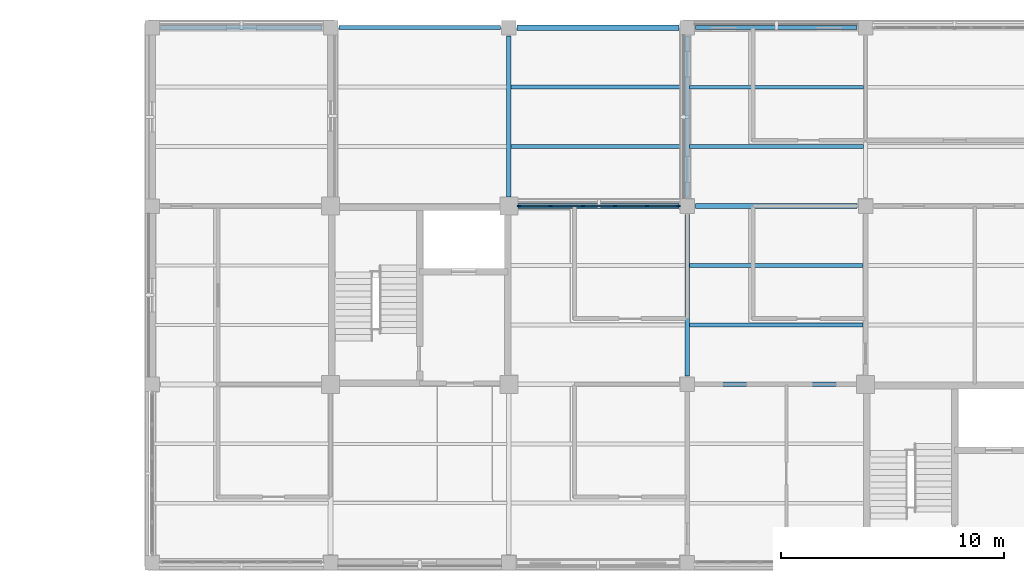
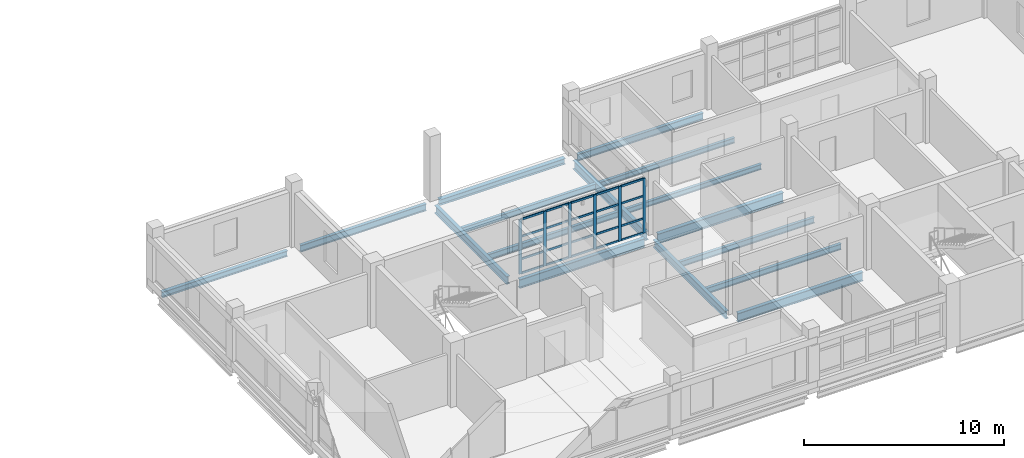
# One storey, part 62 of 126: 26 members, 16 beams, 1 element without a shape of its own.
"""IFC4 building model written with IfcOpenShell, lengths in metres."""

from ifc_helpers import new_model, si_unit, derived_unit, direction, frame, origin, origin_2d, place, context, subcontext, project, spatial, rectangle, i_section, extrude, material, layer, layer_set, material_profile, profile_set, type_object, element, aggregate, save


model = new_model("IFC4")

# Units and contexts
model_context = context("Model", 3, precision=1e-05, world=origin(), true_north=direction((0.0, 1.0)))
body_context = subcontext(model_context, "Body", "Model", "MODEL_VIEW")
ifc_project = project(units=[si_unit("LENGTHUNIT", "METRE"), si_unit("AREAUNIT", "SQUARE_METRE"), si_unit("VOLUMEUNIT", "CUBIC_METRE"), si_unit("PLANEANGLEUNIT", "RADIAN"), si_unit("MASSUNIT", "GRAM", prefix="KILO"), derived_unit("THERMALTRANSMITTANCEUNIT", [(si_unit("MASSUNIT", "GRAM", prefix="KILO"), 1), (si_unit("TIMEUNIT", "SECOND"), -3), (si_unit("THERMODYNAMICTEMPERATUREUNIT", "KELVIN"), -1)])], contexts=[model_context])

# Site, building, storey
site_placement = place(None, origin())
site = spatial("IfcSite", under=ifc_project, at=site_placement, CompositionType="ELEMENT")
building_placement = place(site_placement, origin())
building = spatial("IfcBuilding", under=site, at=building_placement, Name="Veyamyaing Civic Hall", CompositionType="ELEMENT")
storey_placement = place(building_placement, frame((0.0, 0.0, 9.89990234375)))
storey = spatial("IfcBuildingStorey", under=building, at=storey_placement, Name="L02", CompositionType="ELEMENT", Elevation=9.89990234375)

# Beams
ifc_material_1 = material(Name="Steel ASTM A992", Category="steel")
ifc_material_profile_1 = material_profile(ifc_material_1, i_section(OverallWidth=0.22802734375, OverallDepth=0.60791015625, WebThickness=0.01123046875, FlangeThickness=0.017333984375, FilletRadius=0.012939453125, at=origin_2d()), Name="W610X113")
ifc_profile_set_1 = profile_set([ifc_material_profile_1], Name="Steel ASTM A992")
beam_type_1 = type_object("IfcBeamType", Name="B-06", PredefinedType="BEAM", material=ifc_profile_set_1)
beam_1_placement = place(storey_placement, frame((152.375, 104.0, -0.5888671875), z_axis=(1.0, 0.0, 0.0), x_axis=(0.0, 1.0, 0.0)))
element("IfcBeam", 1, at=beam_1_placement, inside=storey, type_object=beam_type_1, Name="Girder B-06 L02 Grid P 20-21", PredefinedType="BEAM", context=body_context, shape_type="SweptSolid", body=[
    extrude(i_section(OverallWidth=0.22802734375, OverallDepth=0.60791015625, WebThickness=0.01123046875, FlangeThickness=0.017333984375, FilletRadius=0.012939453125, at=origin_2d()), origin(), (0.0, 0.0, 1.0), 7.25),
])
ifc_material_profile_2 = material_profile(ifc_material_1, i_section(OverallWidth=0.208984375, OverallDepth=0.532958984375, WebThickness=0.01025390625, FlangeThickness=0.015625, FilletRadius=0.011962890625, at=origin_2d()), Name="W530X92")
ifc_profile_set_2 = profile_set([ifc_material_profile_2], Name="Steel ASTM A992")
beam_type_2 = type_object("IfcBeamType", Name="B-07", PredefinedType="BEAM", material=ifc_profile_set_2)
beam_2_placement = place(storey_placement, frame((152.0, 104.375, -0.551513671875), z_axis=(0.0, 1.0, 0.0), x_axis=(-1.0, 0.0, 0.0)))
element("IfcBeam", 2, at=beam_2_placement, inside=storey, type_object=beam_type_2, Name="Girder B-07 L02 Grid 20 P-Q", PredefinedType="BEAM", context=body_context, shape_type="SweptSolid", body=[
    extrude(i_section(OverallWidth=0.208984375, OverallDepth=0.532958984375, WebThickness=0.01025390625, FlangeThickness=0.015625, FilletRadius=0.011962890625, at=origin_2d()), origin(), (0.0, 0.0, 1.0), 7.25),
])
ifc_material_profile_3 = material_profile(ifc_material_1, i_section(OverallWidth=0.179931640625, OverallDepth=0.4130859375, WebThickness=0.009765625, FlangeThickness=0.01611328125, FilletRadius=0.010009765625, at=origin_2d()), Name="W410X74")
ifc_profile_set_3 = profile_set([ifc_material_profile_3], Name="Steel ASTM A992")
beam_type_3 = type_object("IfcBeamType", Name="B-10", PredefinedType="SPANDREL", material=ifc_profile_set_3)
beam_3_placement = place(storey_placement, frame((152.375, 112.0, -0.491455078125), z_axis=(1.0, 0.0, 0.0), x_axis=(0.0, 1.0, 0.0)))
element("IfcBeam", 3, at=beam_3_placement, inside=storey, type_object=beam_type_3, Name="Girder B-10 L02 Grid Q 20-21", PredefinedType="SPANDREL", context=body_context, shape_type="SweptSolid", body=[
    extrude(i_section(OverallWidth=0.179931640625, OverallDepth=0.4130859375, WebThickness=0.009765625, FlangeThickness=0.01611328125, FilletRadius=0.010009765625, at=origin_2d()), origin(), (0.0, 0.0, 1.0), 7.25),
])
ifc_material_profile_4 = material_profile(ifc_material_1, i_section(OverallWidth=0.2041015625, OverallDepth=0.35009765625, WebThickness=0.0078125, FlangeThickness=0.01513671875, FilletRadius=0.010009765625, at=origin_2d()), Name="W360X72")
ifc_profile_set_4 = profile_set([ifc_material_profile_4], Name="Steel ASTM A992")
beam_type_4 = type_object("IfcBeamType", Name="B-11", PredefinedType="SPANDREL", material=ifc_profile_set_4)
beam_4_placement = place(storey_placement, frame((128.375, 112.0, -0.4599609375), z_axis=(1.0, 0.0, 0.0), x_axis=(0.0, 1.0, 0.0)))
element("IfcBeam", 4, at=beam_4_placement, inside=storey, type_object=beam_type_4, Name="Girder B-11 L02 Grid Q 17-18", PredefinedType="SPANDREL", context=body_context, shape_type="SweptSolid", body=[
    extrude(i_section(OverallWidth=0.2041015625, OverallDepth=0.35009765625, WebThickness=0.0078125, FlangeThickness=0.01513671875, FilletRadius=0.010009765625, at=origin_2d()), origin(), (0.0, 0.0, 1.0), 7.25),
])
ifc_material_profile_5 = material_profile(ifc_material_1, i_section(OverallWidth=0.2109375, OverallDepth=0.5390625, WebThickness=0.01171875, FlangeThickness=0.018798828125, FilletRadius=0.011962890625, at=origin_2d()), Name="W530X109")
ifc_profile_set_5 = profile_set([ifc_material_profile_5], Name="Steel ASTM A992")
beam_type_5 = type_object("IfcBeamType", Name="B-17", PredefinedType="BEAM", material=ifc_profile_set_5)
for number, where, z_axis, x_axis, name in (
    (5, (152.375, 96.0, -0.554443359375), (1.0, 0.0, 0.0), (0.0, 1.0, 0.0), "Girder B-17 L02 Grid N 20-21"),
    (6, (144.39990234375, 104.0, -0.554443359375), (1.0, 0.0, 0.0), (0.0, 1.0, 0.0), "Girder B-17 L02 Grid P 19-20"),
):
    element("IfcBeam", number, at=place(storey_placement, frame(where, z_axis=z_axis, x_axis=x_axis)), inside=storey, type_object=beam_type_5, Name=name, PredefinedType="BEAM", context=body_context, shape_type="SweptSolid", body=[
        extrude(i_section(OverallWidth=0.2109375, OverallDepth=0.5390625, WebThickness=0.01171875, FlangeThickness=0.018798828125, FilletRadius=0.011962890625, at=origin_2d()), origin(), (0.0, 0.0, 1.0), 7.22509765625),
    ])
ifc_material_profile_6 = material_profile(ifc_material_1, i_section(OverallWidth=0.194091796875, OverallDepth=0.468994140625, WebThickness=0.0126953125, FlangeThickness=0.0205078125, FilletRadius=0.010009765625, at=origin_2d()), Name="W460X106")
ifc_profile_set_6 = profile_set([ifc_material_profile_6], Name="Steel ASTM A992")
beam_type_6 = type_object("IfcBeamType", Name="B-18", PredefinedType="BEAM", material=ifc_profile_set_6)
beam_5_placement = place(storey_placement, frame((144.0, 104.39990234375, -0.474365234375), z_axis=(0.0, 1.0, 0.0), x_axis=(-1.0, 0.0, 0.0)))
element("IfcBeam", 7, at=beam_5_placement, inside=storey, type_object=beam_type_6, Name="Girder B-18 L02 Grid 19 P-Q", PredefinedType="BEAM", context=body_context, shape_type="SweptSolid", body=[
    extrude(i_section(OverallWidth=0.194091796875, OverallDepth=0.468994140625, WebThickness=0.0126953125, FlangeThickness=0.0205078125, FilletRadius=0.010009765625, at=origin_2d()), origin(), (0.0, 0.0, 1.0), 7.22509765625),
])
beam_6_placement = place(storey_placement, frame((152.0, 96.375, -0.519287109375), z_axis=(0.0, 1.0, 0.0), x_axis=(-1.0, 0.0, 0.0)))
element("IfcBeam", 8, at=beam_6_placement, inside=storey, type_object=beam_type_6, Name="Girder B-18 L02 Grid 20 N-P", PredefinedType="BEAM", context=body_context, shape_type="SweptSolid", body=[
    extrude(i_section(OverallWidth=0.194091796875, OverallDepth=0.468994140625, WebThickness=0.0126953125, FlangeThickness=0.0205078125, FilletRadius=0.010009765625, at=origin_2d()), origin(), (0.0, 0.0, 1.0), 7.25),
])
ifc_material_profile_7 = material_profile(ifc_material_1, i_section(OverallWidth=0.180908203125, OverallDepth=0.4169921875, WebThickness=0.010986328125, FlangeThickness=0.018310546875, FilletRadius=0.010009765625, at=origin_2d()), Name="W410X85")
ifc_profile_set_7 = profile_set([ifc_material_profile_7], Name="Steel ASTM A992")
beam_type_7 = type_object("IfcBeamType", Name="B-19", PredefinedType="SPANDREL", material=ifc_profile_set_7)
beam_7_placement = place(storey_placement, frame((136.375, 112.0, -0.448486328125), z_axis=(1.0, 0.0, 0.0), x_axis=(0.0, 1.0, 0.0)))
element("IfcBeam", 9, at=beam_7_placement, inside=storey, type_object=beam_type_7, Name="Girder B-19 L02 Grid Q 18-19", PredefinedType="SPANDREL", context=body_context, shape_type="SweptSolid", body=[
    extrude(i_section(OverallWidth=0.180908203125, OverallDepth=0.4169921875, WebThickness=0.010986328125, FlangeThickness=0.018310546875, FilletRadius=0.010009765625, at=origin_2d()), origin(), (0.0, 0.0, 1.0), 7.25),
])
ifc_material_profile_8 = material_profile(ifc_material_1, i_section(OverallWidth=0.25390625, OverallDepth=0.35302734375, WebThickness=0.009521484375, FlangeThickness=0.016357421875, FilletRadius=0.011962890625, at=origin_2d()), Name="W360X91")
ifc_profile_set_8 = profile_set([ifc_material_profile_8], Name="Steel ASTM A992")
beam_type_8 = type_object("IfcBeamType", Name="B-20", PredefinedType="SPANDREL", material=ifc_profile_set_8)
beam_8_placement = place(storey_placement, frame((144.375, 112.0, -0.41650390625), z_axis=(1.0, 0.0, 0.0), x_axis=(0.0, 1.0, 0.0)))
element("IfcBeam", 10, at=beam_8_placement, inside=storey, type_object=beam_type_8, Name="Girder B-20 L02 Grid Q 19-20", PredefinedType="SPANDREL", context=body_context, shape_type="SweptSolid", body=[
    extrude(i_section(OverallWidth=0.25390625, OverallDepth=0.35302734375, WebThickness=0.009521484375, FlangeThickness=0.016357421875, FilletRadius=0.011962890625, at=origin_2d()), origin(), (0.0, 0.0, 1.0), 7.25),
])

# Curtain wall, members
ifc_material_2 = material(Name="Anodised aluminium 6063-T6", Category="aluminium")
ifc_layer = layer(ifc_material_2, 0.159912109375, Name="Anodised aluminium 6063-T6")
ifc_layer_set = layer_set([ifc_layer], Name="Anodised aluminium 6063-T6")
curtain_wall_type = type_object("IfcCurtainWallType", Name="CW-03", PredefinedType="NOTDEFINED", material=ifc_layer_set)
curtain_wall_placement = place(storey_placement, origin())
curtain_wall = element("IfcCurtainWall", 11, at=curtain_wall_placement, inside=storey, type_object=curtain_wall_type, Name="Unitized curtain wall CW-03 L02 N 19.13", PredefinedType="NOTDEFINED")
ifc_material_profile_9 = material_profile(ifc_material_2, rectangle(XDim=0.06494140625, YDim=0.159912109375, at=origin_2d()), Name="ALU-MUL-65X160")
ifc_profile_set_9 = profile_set([ifc_material_profile_9], Name="Anodised aluminium 6063-T6")
member_type_1 = type_object("IfcMemberType", Name="CWM-01", PredefinedType="MULLION", material=ifc_profile_set_9)
member_1_placement = place(storey_placement, frame((144.46240234375, 104.0, 0.0), z_axis=(0.0, 0.0, 1.0), x_axis=(0.0, 1.0, 0.0)))
member_1 = element("IfcMember", 12, at=member_1_placement, type_object=member_type_1, Name="CW-03 mullion 1", PredefinedType="MULLION", context=body_context, shape_type="SweptSolid", body=[
    extrude(rectangle(XDim=0.06494140625, YDim=0.159912109375, at=origin_2d()), origin(), (0.0, 0.0, 1.0), 3.343994140625),
])
member_2_placement = place(storey_placement, frame((145.873046875, 104.0, 0.0), z_axis=(0.0, 0.0, 1.0), x_axis=(0.0, 1.0, 0.0)))
member_2 = element("IfcMember", 13, at=member_2_placement, type_object=member_type_1, Name="CW-03 mullion 2", PredefinedType="MULLION", context=body_context, shape_type="SweptSolid", body=[
    extrude(rectangle(XDim=0.06494140625, YDim=0.159912109375, at=origin_2d()), origin(), (0.0, 0.0, 1.0), 3.343994140625),
])
member_3_placement = place(storey_placement, frame((147.31591796875, 104.0, 0.0), z_axis=(0.0, 0.0, 1.0), x_axis=(0.0, 1.0, 0.0)))
member_3 = element("IfcMember", 14, at=member_3_placement, type_object=member_type_1, Name="CW-03 mullion 3", PredefinedType="MULLION", context=body_context, shape_type="SweptSolid", body=[
    extrude(rectangle(XDim=0.06494140625, YDim=0.159912109375, at=origin_2d()), origin(), (0.0, 0.0, 1.0), 3.343994140625),
])
member_4_placement = place(storey_placement, frame((148.759033203125, 104.0, 0.0), z_axis=(0.0, 0.0, 1.0), x_axis=(0.0, 1.0, 0.0)))
member_4 = element("IfcMember", 15, at=member_4_placement, type_object=member_type_1, Name="CW-03 mullion 4", PredefinedType="MULLION", context=body_context, shape_type="SweptSolid", body=[
    extrude(rectangle(XDim=0.06494140625, YDim=0.159912109375, at=origin_2d()), origin(), (0.0, 0.0, 1.0), 3.343994140625),
])
member_5_placement = place(storey_placement, frame((150.201904296875, 104.0, 0.0), z_axis=(0.0, 0.0, 1.0), x_axis=(0.0, 1.0, 0.0)))
member_5 = element("IfcMember", 16, at=member_5_placement, type_object=member_type_1, Name="CW-03 mullion 5", PredefinedType="MULLION", context=body_context, shape_type="SweptSolid", body=[
    extrude(rectangle(XDim=0.06494140625, YDim=0.159912109375, at=origin_2d()), origin(), (0.0, 0.0, 1.0), 3.343994140625),
])
member_6_placement = place(storey_placement, frame((151.612548828125, 104.0, 0.0), z_axis=(0.0, 0.0, 1.0), x_axis=(0.0, 1.0, 0.0)))
member_6 = element("IfcMember", 17, at=member_6_placement, type_object=member_type_1, Name="CW-03 mullion 6", PredefinedType="MULLION", context=body_context, shape_type="SweptSolid", body=[
    extrude(rectangle(XDim=0.06494140625, YDim=0.159912109375, at=origin_2d()), origin(), (0.0, 0.0, 1.0), 3.343994140625),
])
ifc_material_profile_10 = material_profile(ifc_material_2, rectangle(XDim=0.06494140625, YDim=0.1201171875, at=origin_2d()), Name="ALU-TRN-65X120")
ifc_profile_set_10 = profile_set([ifc_material_profile_10], Name="Anodised aluminium 6063-T6")
member_type_2 = type_object("IfcMemberType", Name="CWT-01", PredefinedType="USERDEFINED", material=ifc_profile_set_10)
member_7_placement = place(storey_placement, frame((144.4951171875, 104.0, 0.03271484375), z_axis=(1.0, 0.0, 0.0), x_axis=(0.0, 1.0, 0.0)))
member_7 = element("IfcMember", 18, at=member_7_placement, type_object=member_type_2, Name="CW-03 transom 1.1", ObjectType="TRANSOM", PredefinedType="USERDEFINED", context=body_context, shape_type="SweptSolid", body=[
    extrude(rectangle(XDim=0.06494140625, YDim=0.1201171875, at=origin_2d()), origin(), (0.0, 0.0, 1.0), 1.345458984375),
])
member_8_placement = place(storey_placement, frame((144.4951171875, 104.0, 0.900146484375), z_axis=(1.0, 0.0, 0.0), x_axis=(0.0, 1.0, 0.0)))
member_8 = element("IfcMember", 19, at=member_8_placement, type_object=member_type_2, Name="CW-03 transom 1.2", ObjectType="TRANSOM", PredefinedType="USERDEFINED", context=body_context, shape_type="SweptSolid", body=[
    extrude(rectangle(XDim=0.06494140625, YDim=0.1201171875, at=origin_2d()), origin(), (0.0, 0.0, 1.0), 1.345458984375),
])
member_9_placement = place(storey_placement, frame((144.4951171875, 104.0, 2.27392578125), z_axis=(1.0, 0.0, 0.0), x_axis=(0.0, 1.0, 0.0)))
member_9 = element("IfcMember", 20, at=member_9_placement, type_object=member_type_2, Name="CW-03 transom 1.3", ObjectType="TRANSOM", PredefinedType="USERDEFINED", context=body_context, shape_type="SweptSolid", body=[
    extrude(rectangle(XDim=0.06494140625, YDim=0.1201171875, at=origin_2d()), origin(), (0.0, 0.0, 1.0), 1.345458984375),
])
member_10_placement = place(storey_placement, frame((144.4951171875, 104.0, 3.3115234375), z_axis=(1.0, 0.0, 0.0), x_axis=(0.0, 1.0, 0.0)))
member_10 = element("IfcMember", 21, at=member_10_placement, type_object=member_type_2, Name="CW-03 transom 1.4", ObjectType="TRANSOM", PredefinedType="USERDEFINED", context=body_context, shape_type="SweptSolid", body=[
    extrude(rectangle(XDim=0.06494140625, YDim=0.1201171875, at=origin_2d()), origin(), (0.0, 0.0, 1.0), 1.345458984375),
])
member_11_placement = place(storey_placement, frame((145.905517578125, 104.0, 0.03271484375), z_axis=(1.0, 0.0, 0.0), x_axis=(0.0, 1.0, 0.0)))
member_11 = element("IfcMember", 22, at=member_11_placement, type_object=member_type_2, Name="CW-03 transom 2.1", ObjectType="TRANSOM", PredefinedType="USERDEFINED", context=body_context, shape_type="SweptSolid", body=[
    extrude(rectangle(XDim=0.06494140625, YDim=0.1201171875, at=origin_2d()), origin(), (0.0, 0.0, 1.0), 1.3779296875),
])
member_12_placement = place(storey_placement, frame((145.905517578125, 104.0, 0.900146484375), z_axis=(1.0, 0.0, 0.0), x_axis=(0.0, 1.0, 0.0)))
member_12 = element("IfcMember", 23, at=member_12_placement, type_object=member_type_2, Name="CW-03 transom 2.2", ObjectType="TRANSOM", PredefinedType="USERDEFINED", context=body_context, shape_type="SweptSolid", body=[
    extrude(rectangle(XDim=0.06494140625, YDim=0.1201171875, at=origin_2d()), origin(), (0.0, 0.0, 1.0), 1.3779296875),
])
member_13_placement = place(storey_placement, frame((145.905517578125, 104.0, 2.27392578125), z_axis=(1.0, 0.0, 0.0), x_axis=(0.0, 1.0, 0.0)))
member_13 = element("IfcMember", 24, at=member_13_placement, type_object=member_type_2, Name="CW-03 transom 2.3", ObjectType="TRANSOM", PredefinedType="USERDEFINED", context=body_context, shape_type="SweptSolid", body=[
    extrude(rectangle(XDim=0.06494140625, YDim=0.1201171875, at=origin_2d()), origin(), (0.0, 0.0, 1.0), 1.3779296875),
])
member_14_placement = place(storey_placement, frame((145.905517578125, 104.0, 3.3115234375), z_axis=(1.0, 0.0, 0.0), x_axis=(0.0, 1.0, 0.0)))
member_14 = element("IfcMember", 25, at=member_14_placement, type_object=member_type_2, Name="CW-03 transom 2.4", ObjectType="TRANSOM", PredefinedType="USERDEFINED", context=body_context, shape_type="SweptSolid", body=[
    extrude(rectangle(XDim=0.06494140625, YDim=0.1201171875, at=origin_2d()), origin(), (0.0, 0.0, 1.0), 1.3779296875),
])
member_15_placement = place(storey_placement, frame((147.348388671875, 104.0, 0.03271484375), z_axis=(1.0, 0.0, 0.0), x_axis=(0.0, 1.0, 0.0)))
member_15 = element("IfcMember", 26, at=member_15_placement, type_object=member_type_2, Name="CW-03 transom 3.1", ObjectType="TRANSOM", PredefinedType="USERDEFINED", context=body_context, shape_type="SweptSolid", body=[
    extrude(rectangle(XDim=0.06494140625, YDim=0.1201171875, at=origin_2d()), origin(), (0.0, 0.0, 1.0), 1.378173828125),
])
member_16_placement = place(storey_placement, frame((147.348388671875, 104.0, 0.900146484375), z_axis=(1.0, 0.0, 0.0), x_axis=(0.0, 1.0, 0.0)))
member_16 = element("IfcMember", 27, at=member_16_placement, type_object=member_type_2, Name="CW-03 transom 3.2", ObjectType="TRANSOM", PredefinedType="USERDEFINED", context=body_context, shape_type="SweptSolid", body=[
    extrude(rectangle(XDim=0.06494140625, YDim=0.1201171875, at=origin_2d()), origin(), (0.0, 0.0, 1.0), 1.378173828125),
])
member_17_placement = place(storey_placement, frame((147.348388671875, 104.0, 2.27392578125), z_axis=(1.0, 0.0, 0.0), x_axis=(0.0, 1.0, 0.0)))
member_17 = element("IfcMember", 28, at=member_17_placement, type_object=member_type_2, Name="CW-03 transom 3.3", ObjectType="TRANSOM", PredefinedType="USERDEFINED", context=body_context, shape_type="SweptSolid", body=[
    extrude(rectangle(XDim=0.06494140625, YDim=0.1201171875, at=origin_2d()), origin(), (0.0, 0.0, 1.0), 1.378173828125),
])
member_18_placement = place(storey_placement, frame((147.348388671875, 104.0, 3.3115234375), z_axis=(1.0, 0.0, 0.0), x_axis=(0.0, 1.0, 0.0)))
member_18 = element("IfcMember", 29, at=member_18_placement, type_object=member_type_2, Name="CW-03 transom 3.4", ObjectType="TRANSOM", PredefinedType="USERDEFINED", context=body_context, shape_type="SweptSolid", body=[
    extrude(rectangle(XDim=0.06494140625, YDim=0.1201171875, at=origin_2d()), origin(), (0.0, 0.0, 1.0), 1.378173828125),
])
member_19_placement = place(storey_placement, frame((148.79150390625, 104.0, 0.03271484375), z_axis=(1.0, 0.0, 0.0), x_axis=(0.0, 1.0, 0.0)))
member_19 = element("IfcMember", 30, at=member_19_placement, type_object=member_type_2, Name="CW-03 transom 4.1", ObjectType="TRANSOM", PredefinedType="USERDEFINED", context=body_context, shape_type="SweptSolid", body=[
    extrude(rectangle(XDim=0.06494140625, YDim=0.1201171875, at=origin_2d()), origin(), (0.0, 0.0, 1.0), 1.3779296875),
])
member_20_placement = place(storey_placement, frame((148.79150390625, 104.0, 0.900146484375), z_axis=(1.0, 0.0, 0.0), x_axis=(0.0, 1.0, 0.0)))
member_20 = element("IfcMember", 31, at=member_20_placement, type_object=member_type_2, Name="CW-03 transom 4.2", ObjectType="TRANSOM", PredefinedType="USERDEFINED", context=body_context, shape_type="SweptSolid", body=[
    extrude(rectangle(XDim=0.06494140625, YDim=0.1201171875, at=origin_2d()), origin(), (0.0, 0.0, 1.0), 1.3779296875),
])
member_21_placement = place(storey_placement, frame((148.79150390625, 104.0, 2.27392578125), z_axis=(1.0, 0.0, 0.0), x_axis=(0.0, 1.0, 0.0)))
member_21 = element("IfcMember", 32, at=member_21_placement, type_object=member_type_2, Name="CW-03 transom 4.3", ObjectType="TRANSOM", PredefinedType="USERDEFINED", context=body_context, shape_type="SweptSolid", body=[
    extrude(rectangle(XDim=0.06494140625, YDim=0.1201171875, at=origin_2d()), origin(), (0.0, 0.0, 1.0), 1.3779296875),
])
member_22_placement = place(storey_placement, frame((148.79150390625, 104.0, 3.3115234375), z_axis=(1.0, 0.0, 0.0), x_axis=(0.0, 1.0, 0.0)))
member_22 = element("IfcMember", 33, at=member_22_placement, type_object=member_type_2, Name="CW-03 transom 4.4", ObjectType="TRANSOM", PredefinedType="USERDEFINED", context=body_context, shape_type="SweptSolid", body=[
    extrude(rectangle(XDim=0.06494140625, YDim=0.1201171875, at=origin_2d()), origin(), (0.0, 0.0, 1.0), 1.3779296875),
])
member_23_placement = place(storey_placement, frame((150.234619140625, 104.0, 0.03271484375), z_axis=(1.0, 0.0, 0.0), x_axis=(0.0, 1.0, 0.0)))
member_23 = element("IfcMember", 34, at=member_23_placement, type_object=member_type_2, Name="CW-03 transom 5.1", ObjectType="TRANSOM", PredefinedType="USERDEFINED", context=body_context, shape_type="SweptSolid", body=[
    extrude(rectangle(XDim=0.06494140625, YDim=0.1201171875, at=origin_2d()), origin(), (0.0, 0.0, 1.0), 1.345458984375),
])
member_24_placement = place(storey_placement, frame((150.234619140625, 104.0, 0.900146484375), z_axis=(1.0, 0.0, 0.0), x_axis=(0.0, 1.0, 0.0)))
member_24 = element("IfcMember", 35, at=member_24_placement, type_object=member_type_2, Name="CW-03 transom 5.2", ObjectType="TRANSOM", PredefinedType="USERDEFINED", context=body_context, shape_type="SweptSolid", body=[
    extrude(rectangle(XDim=0.06494140625, YDim=0.1201171875, at=origin_2d()), origin(), (0.0, 0.0, 1.0), 1.345458984375),
])
member_25_placement = place(storey_placement, frame((150.234619140625, 104.0, 2.27392578125), z_axis=(1.0, 0.0, 0.0), x_axis=(0.0, 1.0, 0.0)))
member_25 = element("IfcMember", 36, at=member_25_placement, type_object=member_type_2, Name="CW-03 transom 5.3", ObjectType="TRANSOM", PredefinedType="USERDEFINED", context=body_context, shape_type="SweptSolid", body=[
    extrude(rectangle(XDim=0.06494140625, YDim=0.1201171875, at=origin_2d()), origin(), (0.0, 0.0, 1.0), 1.345458984375),
])
member_26_placement = place(storey_placement, frame((150.234619140625, 104.0, 3.3115234375), z_axis=(1.0, 0.0, 0.0), x_axis=(0.0, 1.0, 0.0)))
member_26 = element("IfcMember", 37, at=member_26_placement, type_object=member_type_2, Name="CW-03 transom 5.4", ObjectType="TRANSOM", PredefinedType="USERDEFINED", context=body_context, shape_type="SweptSolid", body=[
    extrude(rectangle(XDim=0.06494140625, YDim=0.1201171875, at=origin_2d()), origin(), (0.0, 0.0, 1.0), 1.345458984375),
])
aggregate(curtain_wall, [member_1, member_2, member_3, member_4, member_5, member_6, member_7, member_8, member_9, member_10, member_11, member_12, member_13, member_14, member_15, member_16, member_17, member_18, member_19, member_20, member_21, member_22, member_23, member_24, member_25, member_26])

# Beams
ifc_material_profile_11 = material_profile(ifc_material_1, i_section(OverallWidth=0.1708984375, OverallDepth=0.35205078125, WebThickness=0.0068359375, FlangeThickness=0.009765625, FilletRadius=0.010009765625, at=origin_2d()), Name="W360X44")
ifc_profile_set_11 = profile_set([ifc_material_profile_11], Name="Steel ASTM A992")
beam_type_9 = type_object("IfcBeamType", Name="J-03", PredefinedType="JOIST", material=ifc_profile_set_11)
for number, where, z_axis, x_axis, name in (
    (38, (144.094970703125, 106.666748046875, -0.4609375), (1.0, 0.0, 0.0), (0.0, 1.0, 0.0), "Composite floor joist J-03 L02 19.14.1"),
    (39, (144.094970703125, 109.333251953125, -0.4609375), (1.0, 0.0, 0.0), (0.0, 1.0, 0.0), "Composite floor joist J-03 L02 19.14.2"),
    (40, (152.094970703125, 98.666748046875, -0.4609375), (1.0, 0.0, 0.0), (0.0, 1.0, 0.0), "Composite floor joist J-03 L02 20.13.1"),
    (41, (152.094970703125, 101.333251953125, -0.4609375), (1.0, 0.0, 0.0), (0.0, 1.0, 0.0), "Composite floor joist J-03 L02 20.13.2"),
):
    element("IfcBeam", number, at=place(storey_placement, frame(where, z_axis=z_axis, x_axis=x_axis)), inside=storey, type_object=beam_type_9, Name=name, PredefinedType="JOIST", context=body_context, shape_type="SweptSolid", body=[
        extrude(i_section(OverallWidth=0.1708984375, OverallDepth=0.35205078125, WebThickness=0.0068359375, FlangeThickness=0.009765625, FilletRadius=0.010009765625, at=origin_2d()), origin(), (0.0, 0.0, 1.0), 7.802490234375),
    ])
ifc_material_profile_12 = material_profile(ifc_material_1, i_section(OverallWidth=0.1669921875, OverallDepth=0.318115234375, WebThickness=0.007568359375, FlangeThickness=0.01318359375, FilletRadius=0.010009765625, at=origin_2d()), Name="W310X52")
ifc_profile_set_12 = profile_set([ifc_material_profile_12], Name="Steel ASTM A992")
beam_type_10 = type_object("IfcBeamType", Name="J-04", PredefinedType="JOIST", material=ifc_profile_set_12)
for number, where, z_axis, x_axis, name in (
    (42, (152.1025390625, 106.666748046875, -0.44384765625), (1.0, 0.0, 0.0), (0.0, 1.0, 0.0), "Composite floor joist J-04 L02 20.14.1"),
    (43, (152.1025390625, 109.333251953125, -0.44384765625), (1.0, 0.0, 0.0), (0.0, 1.0, 0.0), "Composite floor joist J-04 L02 20.14.2"),
):
    element("IfcBeam", number, at=place(storey_placement, frame(where, z_axis=z_axis, x_axis=x_axis)), inside=storey, type_object=beam_type_10, Name=name, PredefinedType="JOIST", context=body_context, shape_type="SweptSolid", body=[
        extrude(i_section(OverallWidth=0.1669921875, OverallDepth=0.318115234375, WebThickness=0.007568359375, FlangeThickness=0.01318359375, FilletRadius=0.010009765625, at=origin_2d()), origin(), (0.0, 0.0, 1.0), 7.803466796875),
    ])

save(model, "model.ifc")
